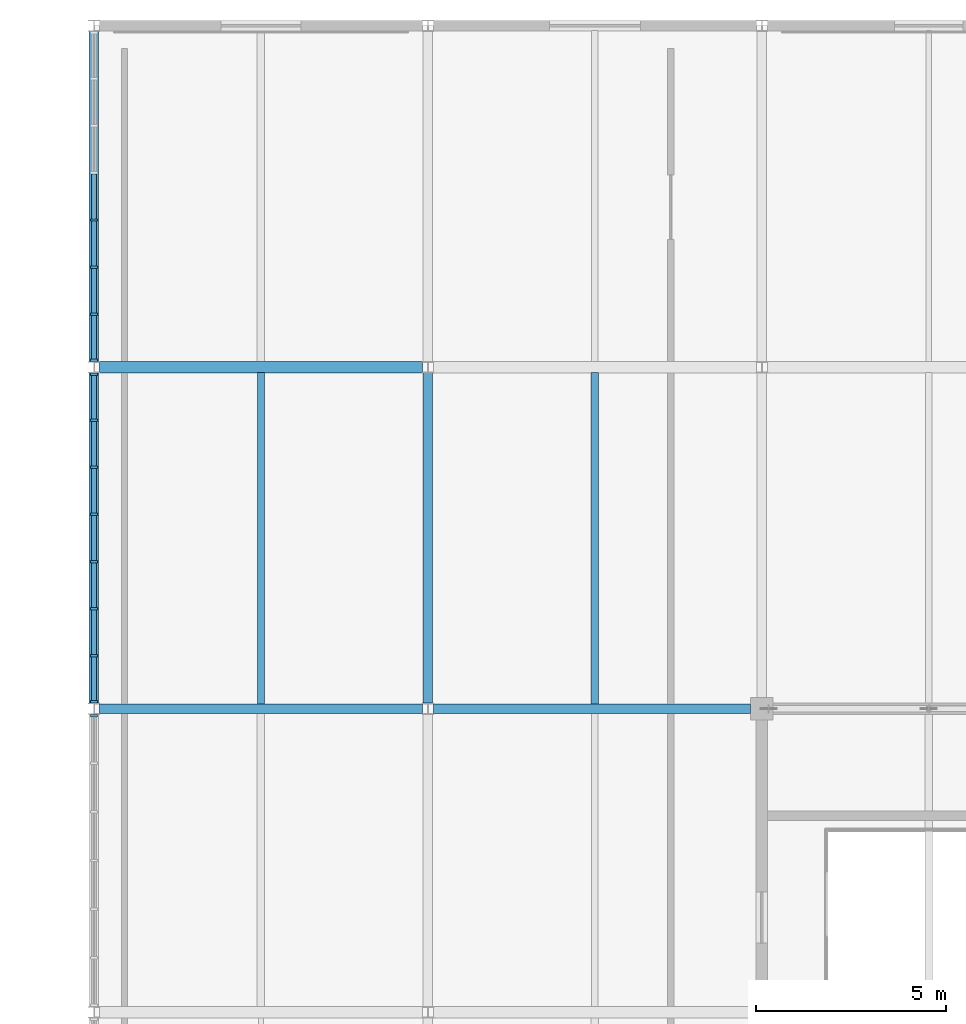
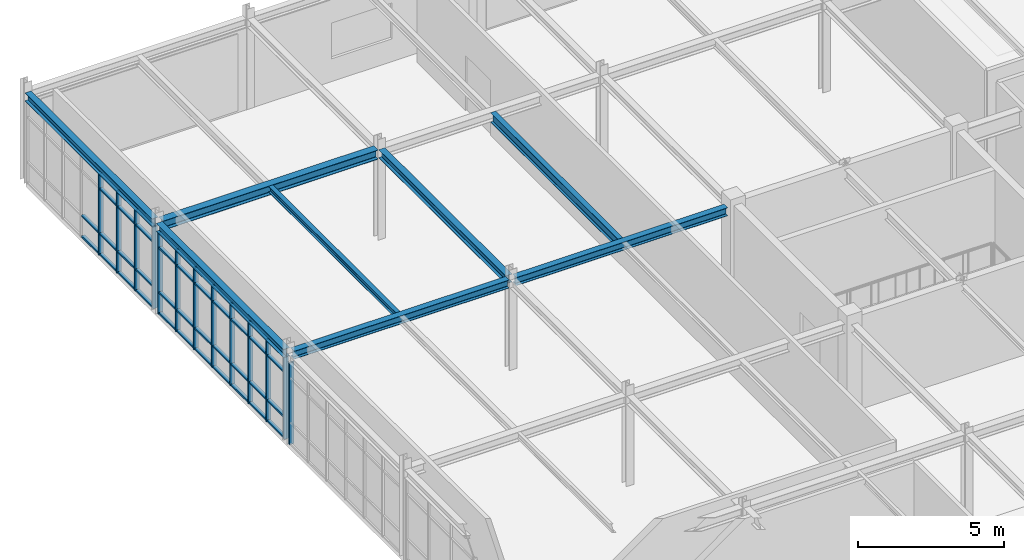
# One storey, part 21 of 64: 55 members, 8 beams, 3 elements without a shape of their own.
"""IFC4 building model written with IfcOpenShell, lengths in metres."""

from ifc_helpers import new_model, si_unit, direction, frame, origin, origin_2d, place, context, subcontext, project, spatial, rectangle, i_section, extrude, material, material_profile, profile_set, type_object, element, aggregate, save


model = new_model("IFC4")

# Units and contexts
model_context = context("Model", 3, precision=1e-05, world=origin(), true_north=direction((0.0, 1.0)))
body_context = subcontext(model_context, "Body", "Model", "MODEL_VIEW")
ifc_project = project(units=[si_unit("LENGTHUNIT", "METRE"), si_unit("AREAUNIT", "SQUARE_METRE"), si_unit("VOLUMEUNIT", "CUBIC_METRE"), si_unit("PLANEANGLEUNIT", "RADIAN"), si_unit("MASSUNIT", "GRAM", prefix="KILO")], contexts=[model_context])

# Site, building, storey
site_placement = place(None, origin())
site = spatial("IfcSite", under=ifc_project, at=site_placement, CompositionType="ELEMENT")
building_placement = place(site_placement, origin())
building = spatial("IfcBuilding", under=site, at=building_placement, Name="Zhaolan Boulevard Law Courts", CompositionType="ELEMENT")
storey_placement = place(building_placement, frame((0.0, 0.0, 20.39990234375)))
storey = spatial("IfcBuildingStorey", under=building, at=storey_placement, Name="L04", CompositionType="ELEMENT", Elevation=20.39990234375)

# Curtain wall, member
ifc_material_1 = material(Name="Thermally broken aluminium and low-E glazing", Category="aluminium")
curtain_wall_type_1 = type_object("IfcCurtainWallType", Name="CURTAIN WALL M12", PredefinedType="USERDEFINED", material=ifc_material_1)
curtain_wall_1_placement = place(storey_placement, origin())
curtain_wall_1 = element("IfcCurtainWall", 1, at=curtain_wall_1_placement, inside=storey, type_object=curtain_wall_type_1, Name="Curtain Wall CW-L04-132", ObjectType="CURTAIN WALL", PredefinedType="USERDEFINED")
ifc_material_2 = material(Name="Fluorocarbon-coated aluminium 6063-T6", Category="aluminium")
ifc_material_profile_1 = material_profile(ifc_material_2, rectangle(XDim=0.179931640625, YDim=0.06494140625, at=origin_2d()), Name="AL65x180")
ifc_profile_set_1 = profile_set([ifc_material_profile_1], Name="Fluorocarbon-coated aluminium 6063-T6")
member_type_1 = type_object("IfcMemberType", Name="CWMULLION 65X180", PredefinedType="MULLION", material=ifc_profile_set_1)
member_1_placement = place(storey_placement, frame((0.0, 93.8154296875, 0.0), z_axis=(0.0, 0.0, 1.0), x_axis=(1.0, 0.0, 0.0)))
member_1 = element("IfcMember", 2, at=member_1_placement, type_object=member_type_1, Name="CW-L04-132 mullion 1", PredefinedType="MULLION", context=body_context, shape_type="SweptSolid", body=[
    extrude(rectangle(XDim=0.179931640625, YDim=0.06494140625, at=origin_2d()), origin(), (0.0, 0.0, 1.0), 3.423095703125),
])
aggregate(curtain_wall_1, [member_1])

# Curtain wall, members
ifc_material_3 = material(Name="Thermally broken aluminium and low-E glazing", Category="aluminium")
curtain_wall_type_2 = type_object("IfcCurtainWallType", Name="CURTAIN WALL M13", PredefinedType="USERDEFINED", material=ifc_material_3)
curtain_wall_2_placement = place(storey_placement, origin())
curtain_wall_2 = element("IfcCurtainWall", 3, at=curtain_wall_2_placement, inside=storey, type_object=curtain_wall_type_2, Name="Curtain Wall CW-L04-133", ObjectType="CURTAIN WALL", PredefinedType="USERDEFINED")
member_2_placement = place(storey_placement, frame((0.0, 102.8154296875, 0.0), z_axis=(0.0, 0.0, 1.0), x_axis=(1.0, 0.0, 0.0)))
member_2 = element("IfcMember", 4, at=member_2_placement, type_object=member_type_1, Name="CW-L04-133 mullion 1", PredefinedType="MULLION", context=body_context, shape_type="SweptSolid", body=[
    extrude(rectangle(XDim=0.179931640625, YDim=0.06494140625, at=origin_2d()), origin(), (0.0, 0.0, 1.0), 3.423095703125),
])
member_3_placement = place(storey_placement, frame((0.0, 101.605712890625, 0.0), z_axis=(0.0, 0.0, 1.0), x_axis=(1.0, 0.0, 0.0)))
member_3 = element("IfcMember", 5, at=member_3_placement, type_object=member_type_1, Name="CW-L04-133 mullion 2", PredefinedType="MULLION", context=body_context, shape_type="SweptSolid", body=[
    extrude(rectangle(XDim=0.179931640625, YDim=0.06494140625, at=origin_2d()), origin(), (0.0, 0.0, 1.0), 3.423095703125),
])
member_4_placement = place(storey_placement, frame((0.0, 100.363525390625, 0.0), z_axis=(0.0, 0.0, 1.0), x_axis=(1.0, 0.0, 0.0)))
member_4 = element("IfcMember", 6, at=member_4_placement, type_object=member_type_1, Name="CW-L04-133 mullion 3", PredefinedType="MULLION", context=body_context, shape_type="SweptSolid", body=[
    extrude(rectangle(XDim=0.179931640625, YDim=0.06494140625, at=origin_2d()), origin(), (0.0, 0.0, 1.0), 3.423095703125),
])
member_5_placement = place(storey_placement, frame((0.0, 99.12109375, 0.0), z_axis=(0.0, 0.0, 1.0), x_axis=(1.0, 0.0, 0.0)))
member_5 = element("IfcMember", 7, at=member_5_placement, type_object=member_type_1, Name="CW-L04-133 mullion 4", PredefinedType="MULLION", context=body_context, shape_type="SweptSolid", body=[
    extrude(rectangle(XDim=0.179931640625, YDim=0.06494140625, at=origin_2d()), origin(), (0.0, 0.0, 1.0), 3.423095703125),
])
member_6_placement = place(storey_placement, frame((0.0, 97.87890625, 0.0), z_axis=(0.0, 0.0, 1.0), x_axis=(1.0, 0.0, 0.0)))
member_6 = element("IfcMember", 8, at=member_6_placement, type_object=member_type_1, Name="CW-L04-133 mullion 5", PredefinedType="MULLION", context=body_context, shape_type="SweptSolid", body=[
    extrude(rectangle(XDim=0.179931640625, YDim=0.06494140625, at=origin_2d()), origin(), (0.0, 0.0, 1.0), 3.423095703125),
])
member_7_placement = place(storey_placement, frame((0.0, 96.636474609375, 0.0), z_axis=(0.0, 0.0, 1.0), x_axis=(1.0, 0.0, 0.0)))
member_7 = element("IfcMember", 9, at=member_7_placement, type_object=member_type_1, Name="CW-L04-133 mullion 6", PredefinedType="MULLION", context=body_context, shape_type="SweptSolid", body=[
    extrude(rectangle(XDim=0.179931640625, YDim=0.06494140625, at=origin_2d()), origin(), (0.0, 0.0, 1.0), 3.423095703125),
])
member_8_placement = place(storey_placement, frame((0.0, 95.394287109375, 0.0), z_axis=(0.0, 0.0, 1.0), x_axis=(1.0, 0.0, 0.0)))
member_8 = element("IfcMember", 10, at=member_8_placement, type_object=member_type_1, Name="CW-L04-133 mullion 7", PredefinedType="MULLION", context=body_context, shape_type="SweptSolid", body=[
    extrude(rectangle(XDim=0.179931640625, YDim=0.06494140625, at=origin_2d()), origin(), (0.0, 0.0, 1.0), 3.423095703125),
])
member_9_placement = place(storey_placement, frame((0.0, 94.1845703125, 0.0), z_axis=(0.0, 0.0, 1.0), x_axis=(1.0, 0.0, 0.0)))
member_9 = element("IfcMember", 11, at=member_9_placement, type_object=member_type_1, Name="CW-L04-133 mullion 8", PredefinedType="MULLION", context=body_context, shape_type="SweptSolid", body=[
    extrude(rectangle(XDim=0.179931640625, YDim=0.06494140625, at=origin_2d()), origin(), (0.0, 0.0, 1.0), 3.423095703125),
])

ifc_material_4 = material(Name="Thermally broken aluminium and low-E glazing", Category="aluminium")
curtain_wall_type_3 = type_object("IfcCurtainWallType", Name="CURTAIN WALL M14", PredefinedType="USERDEFINED", material=ifc_material_4)
curtain_wall_3_placement = place(storey_placement, origin())
curtain_wall_3 = element("IfcCurtainWall", 12, at=curtain_wall_3_placement, inside=storey, type_object=curtain_wall_type_3, Name="Curtain Wall CW-L04-134", ObjectType="CURTAIN WALL", PredefinedType="USERDEFINED")
member_10_placement = place(storey_placement, frame((0.0, 106.87890625, 0.0), z_axis=(0.0, 0.0, 1.0), x_axis=(1.0, 0.0, 0.0)))
member_10 = element("IfcMember", 13, at=member_10_placement, type_object=member_type_1, Name="CW-L04-134 mullion 5", PredefinedType="MULLION", context=body_context, shape_type="SweptSolid", body=[
    extrude(rectangle(XDim=0.179931640625, YDim=0.06494140625, at=origin_2d()), origin(), (0.0, 0.0, 1.0), 3.423095703125),
])
member_11_placement = place(storey_placement, frame((0.0, 105.636474609375, 0.0), z_axis=(0.0, 0.0, 1.0), x_axis=(1.0, 0.0, 0.0)))
member_11 = element("IfcMember", 14, at=member_11_placement, type_object=member_type_1, Name="CW-L04-134 mullion 6", PredefinedType="MULLION", context=body_context, shape_type="SweptSolid", body=[
    extrude(rectangle(XDim=0.179931640625, YDim=0.06494140625, at=origin_2d()), origin(), (0.0, 0.0, 1.0), 3.423095703125),
])
member_12_placement = place(storey_placement, frame((0.0, 104.394287109375, 0.0), z_axis=(0.0, 0.0, 1.0), x_axis=(1.0, 0.0, 0.0)))
member_12 = element("IfcMember", 15, at=member_12_placement, type_object=member_type_1, Name="CW-L04-134 mullion 7", PredefinedType="MULLION", context=body_context, shape_type="SweptSolid", body=[
    extrude(rectangle(XDim=0.179931640625, YDim=0.06494140625, at=origin_2d()), origin(), (0.0, 0.0, 1.0), 3.423095703125),
])
member_13_placement = place(storey_placement, frame((0.0, 103.1845703125, 0.0), z_axis=(0.0, 0.0, 1.0), x_axis=(1.0, 0.0, 0.0)))
member_13 = element("IfcMember", 16, at=member_13_placement, type_object=member_type_1, Name="CW-L04-134 mullion 8", PredefinedType="MULLION", context=body_context, shape_type="SweptSolid", body=[
    extrude(rectangle(XDim=0.179931640625, YDim=0.06494140625, at=origin_2d()), origin(), (0.0, 0.0, 1.0), 3.423095703125),
])

# Member
ifc_material_5 = material(Name="Fluorocarbon-coated aluminium 6063-T6", Category="aluminium")
ifc_material_profile_2 = material_profile(ifc_material_5, rectangle(XDim=0.139892578125, YDim=0.06494140625, at=origin_2d()), Name="AL65x140")
ifc_profile_set_2 = profile_set([ifc_material_profile_2], Name="Fluorocarbon-coated aluminium 6063-T6")
member_type_2 = type_object("IfcMemberType", Name="CWTRANSOM 65X140", PredefinedType="USERDEFINED", material=ifc_profile_set_2)
member_14_placement = place(storey_placement, frame((0.0, 102.782958984375, 0.03271484375), z_axis=(0.0, -1.0, 0.0), x_axis=(1.0, 0.0, 0.0)))
member_14 = element("IfcMember", 17, at=member_14_placement, type_object=member_type_2, Name="CW-L04-133 transom 1.1", ObjectType="TRANSOM", PredefinedType="USERDEFINED", context=body_context, shape_type="SweptSolid", body=[
    extrude(rectangle(XDim=0.139892578125, YDim=0.06494140625, at=origin_2d()), origin(), (0.0, 0.0, 1.0), 1.144775390625),
])

member_15_placement = place(storey_placement, frame((0.0, 102.782958984375, 0.900146484375), z_axis=(0.0, -1.0, 0.0), x_axis=(1.0, 0.0, 0.0)))
member_15 = element("IfcMember", 18, at=member_15_placement, type_object=member_type_2, Name="CW-L04-133 transom 1.2", ObjectType="TRANSOM", PredefinedType="USERDEFINED", context=body_context, shape_type="SweptSolid", body=[
    extrude(rectangle(XDim=0.139892578125, YDim=0.06494140625, at=origin_2d()), origin(), (0.0, 0.0, 1.0), 1.144775390625),
])

member_16_placement = place(storey_placement, frame((0.0, 102.782958984375, 2.773193359375), z_axis=(0.0, -1.0, 0.0), x_axis=(1.0, 0.0, 0.0)))
member_16 = element("IfcMember", 19, at=member_16_placement, type_object=member_type_2, Name="CW-L04-133 transom 1.3", ObjectType="TRANSOM", PredefinedType="USERDEFINED", context=body_context, shape_type="SweptSolid", body=[
    extrude(rectangle(XDim=0.139892578125, YDim=0.06494140625, at=origin_2d()), origin(), (0.0, 0.0, 1.0), 1.144775390625),
])

member_17_placement = place(storey_placement, frame((0.0, 102.782958984375, 3.390625), z_axis=(0.0, -1.0, 0.0), x_axis=(1.0, 0.0, 0.0)))
member_17 = element("IfcMember", 20, at=member_17_placement, type_object=member_type_2, Name="CW-L04-133 transom 1.4", ObjectType="TRANSOM", PredefinedType="USERDEFINED", context=body_context, shape_type="SweptSolid", body=[
    extrude(rectangle(XDim=0.139892578125, YDim=0.06494140625, at=origin_2d()), origin(), (0.0, 0.0, 1.0), 1.144775390625),
])

member_18_placement = place(storey_placement, frame((0.0, 101.5732421875, 0.03271484375), z_axis=(0.0, -1.0, 0.0), x_axis=(1.0, 0.0, 0.0)))
member_18 = element("IfcMember", 21, at=member_18_placement, type_object=member_type_2, Name="CW-L04-133 transom 2.1", ObjectType="TRANSOM", PredefinedType="USERDEFINED", context=body_context, shape_type="SweptSolid", body=[
    extrude(rectangle(XDim=0.139892578125, YDim=0.06494140625, at=origin_2d()), origin(), (0.0, 0.0, 1.0), 1.17724609375),
])

member_19_placement = place(storey_placement, frame((0.0, 101.5732421875, 0.900146484375), z_axis=(0.0, -1.0, 0.0), x_axis=(1.0, 0.0, 0.0)))
member_19 = element("IfcMember", 22, at=member_19_placement, type_object=member_type_2, Name="CW-L04-133 transom 2.2", ObjectType="TRANSOM", PredefinedType="USERDEFINED", context=body_context, shape_type="SweptSolid", body=[
    extrude(rectangle(XDim=0.139892578125, YDim=0.06494140625, at=origin_2d()), origin(), (0.0, 0.0, 1.0), 1.17724609375),
])

member_20_placement = place(storey_placement, frame((0.0, 101.5732421875, 2.773193359375), z_axis=(0.0, -1.0, 0.0), x_axis=(1.0, 0.0, 0.0)))
member_20 = element("IfcMember", 23, at=member_20_placement, type_object=member_type_2, Name="CW-L04-133 transom 2.3", ObjectType="TRANSOM", PredefinedType="USERDEFINED", context=body_context, shape_type="SweptSolid", body=[
    extrude(rectangle(XDim=0.139892578125, YDim=0.06494140625, at=origin_2d()), origin(), (0.0, 0.0, 1.0), 1.17724609375),
])

member_21_placement = place(storey_placement, frame((0.0, 101.5732421875, 3.390625), z_axis=(0.0, -1.0, 0.0), x_axis=(1.0, 0.0, 0.0)))
member_21 = element("IfcMember", 24, at=member_21_placement, type_object=member_type_2, Name="CW-L04-133 transom 2.4", ObjectType="TRANSOM", PredefinedType="USERDEFINED", context=body_context, shape_type="SweptSolid", body=[
    extrude(rectangle(XDim=0.139892578125, YDim=0.06494140625, at=origin_2d()), origin(), (0.0, 0.0, 1.0), 1.17724609375),
])

member_22_placement = place(storey_placement, frame((0.0, 100.330810546875, 0.03271484375), z_axis=(0.0, -1.0, 0.0), x_axis=(1.0, 0.0, 0.0)))
member_22 = element("IfcMember", 25, at=member_22_placement, type_object=member_type_2, Name="CW-L04-133 transom 3.1", ObjectType="TRANSOM", PredefinedType="USERDEFINED", context=body_context, shape_type="SweptSolid", body=[
    extrude(rectangle(XDim=0.139892578125, YDim=0.06494140625, at=origin_2d()), origin(), (0.0, 0.0, 1.0), 1.17724609375),
])

member_23_placement = place(storey_placement, frame((0.0, 100.330810546875, 0.900146484375), z_axis=(0.0, -1.0, 0.0), x_axis=(1.0, 0.0, 0.0)))
member_23 = element("IfcMember", 26, at=member_23_placement, type_object=member_type_2, Name="CW-L04-133 transom 3.2", ObjectType="TRANSOM", PredefinedType="USERDEFINED", context=body_context, shape_type="SweptSolid", body=[
    extrude(rectangle(XDim=0.139892578125, YDim=0.06494140625, at=origin_2d()), origin(), (0.0, 0.0, 1.0), 1.17724609375),
])

member_24_placement = place(storey_placement, frame((0.0, 100.330810546875, 2.773193359375), z_axis=(0.0, -1.0, 0.0), x_axis=(1.0, 0.0, 0.0)))
member_24 = element("IfcMember", 27, at=member_24_placement, type_object=member_type_2, Name="CW-L04-133 transom 3.3", ObjectType="TRANSOM", PredefinedType="USERDEFINED", context=body_context, shape_type="SweptSolid", body=[
    extrude(rectangle(XDim=0.139892578125, YDim=0.06494140625, at=origin_2d()), origin(), (0.0, 0.0, 1.0), 1.17724609375),
])

member_25_placement = place(storey_placement, frame((0.0, 100.330810546875, 3.390625), z_axis=(0.0, -1.0, 0.0), x_axis=(1.0, 0.0, 0.0)))
member_25 = element("IfcMember", 28, at=member_25_placement, type_object=member_type_2, Name="CW-L04-133 transom 3.4", ObjectType="TRANSOM", PredefinedType="USERDEFINED", context=body_context, shape_type="SweptSolid", body=[
    extrude(rectangle(XDim=0.139892578125, YDim=0.06494140625, at=origin_2d()), origin(), (0.0, 0.0, 1.0), 1.17724609375),
])

member_26_placement = place(storey_placement, frame((0.0, 99.088623046875, 0.03271484375), z_axis=(0.0, -1.0, 0.0), x_axis=(1.0, 0.0, 0.0)))
member_26 = element("IfcMember", 29, at=member_26_placement, type_object=member_type_2, Name="CW-L04-133 transom 4.1", ObjectType="TRANSOM", PredefinedType="USERDEFINED", context=body_context, shape_type="SweptSolid", body=[
    extrude(rectangle(XDim=0.139892578125, YDim=0.06494140625, at=origin_2d()), origin(), (0.0, 0.0, 1.0), 1.17724609375),
])

member_27_placement = place(storey_placement, frame((0.0, 99.088623046875, 0.900146484375), z_axis=(0.0, -1.0, 0.0), x_axis=(1.0, 0.0, 0.0)))
member_27 = element("IfcMember", 30, at=member_27_placement, type_object=member_type_2, Name="CW-L04-133 transom 4.2", ObjectType="TRANSOM", PredefinedType="USERDEFINED", context=body_context, shape_type="SweptSolid", body=[
    extrude(rectangle(XDim=0.139892578125, YDim=0.06494140625, at=origin_2d()), origin(), (0.0, 0.0, 1.0), 1.17724609375),
])

member_28_placement = place(storey_placement, frame((0.0, 99.088623046875, 2.773193359375), z_axis=(0.0, -1.0, 0.0), x_axis=(1.0, 0.0, 0.0)))
member_28 = element("IfcMember", 31, at=member_28_placement, type_object=member_type_2, Name="CW-L04-133 transom 4.3", ObjectType="TRANSOM", PredefinedType="USERDEFINED", context=body_context, shape_type="SweptSolid", body=[
    extrude(rectangle(XDim=0.139892578125, YDim=0.06494140625, at=origin_2d()), origin(), (0.0, 0.0, 1.0), 1.17724609375),
])

member_29_placement = place(storey_placement, frame((0.0, 99.088623046875, 3.390625), z_axis=(0.0, -1.0, 0.0), x_axis=(1.0, 0.0, 0.0)))
member_29 = element("IfcMember", 32, at=member_29_placement, type_object=member_type_2, Name="CW-L04-133 transom 4.4", ObjectType="TRANSOM", PredefinedType="USERDEFINED", context=body_context, shape_type="SweptSolid", body=[
    extrude(rectangle(XDim=0.139892578125, YDim=0.06494140625, at=origin_2d()), origin(), (0.0, 0.0, 1.0), 1.17724609375),
])

member_30_placement = place(storey_placement, frame((0.0, 97.846435546875, 0.03271484375), z_axis=(0.0, -1.0, 0.0), x_axis=(1.0, 0.0, 0.0)))
member_30 = element("IfcMember", 33, at=member_30_placement, type_object=member_type_2, Name="CW-L04-133 transom 5.1", ObjectType="TRANSOM", PredefinedType="USERDEFINED", context=body_context, shape_type="SweptSolid", body=[
    extrude(rectangle(XDim=0.139892578125, YDim=0.06494140625, at=origin_2d()), origin(), (0.0, 0.0, 1.0), 1.17724609375),
])

member_31_placement = place(storey_placement, frame((0.0, 97.846435546875, 0.900146484375), z_axis=(0.0, -1.0, 0.0), x_axis=(1.0, 0.0, 0.0)))
member_31 = element("IfcMember", 34, at=member_31_placement, type_object=member_type_2, Name="CW-L04-133 transom 5.2", ObjectType="TRANSOM", PredefinedType="USERDEFINED", context=body_context, shape_type="SweptSolid", body=[
    extrude(rectangle(XDim=0.139892578125, YDim=0.06494140625, at=origin_2d()), origin(), (0.0, 0.0, 1.0), 1.17724609375),
])

member_32_placement = place(storey_placement, frame((0.0, 97.846435546875, 2.773193359375), z_axis=(0.0, -1.0, 0.0), x_axis=(1.0, 0.0, 0.0)))
member_32 = element("IfcMember", 35, at=member_32_placement, type_object=member_type_2, Name="CW-L04-133 transom 5.3", ObjectType="TRANSOM", PredefinedType="USERDEFINED", context=body_context, shape_type="SweptSolid", body=[
    extrude(rectangle(XDim=0.139892578125, YDim=0.06494140625, at=origin_2d()), origin(), (0.0, 0.0, 1.0), 1.17724609375),
])

member_33_placement = place(storey_placement, frame((0.0, 97.846435546875, 3.390625), z_axis=(0.0, -1.0, 0.0), x_axis=(1.0, 0.0, 0.0)))
member_33 = element("IfcMember", 36, at=member_33_placement, type_object=member_type_2, Name="CW-L04-133 transom 5.4", ObjectType="TRANSOM", PredefinedType="USERDEFINED", context=body_context, shape_type="SweptSolid", body=[
    extrude(rectangle(XDim=0.139892578125, YDim=0.06494140625, at=origin_2d()), origin(), (0.0, 0.0, 1.0), 1.17724609375),
])

member_34_placement = place(storey_placement, frame((0.0, 96.60400390625, 0.03271484375), z_axis=(0.0, -1.0, 0.0), x_axis=(1.0, 0.0, 0.0)))
member_34 = element("IfcMember", 37, at=member_34_placement, type_object=member_type_2, Name="CW-L04-133 transom 6.1", ObjectType="TRANSOM", PredefinedType="USERDEFINED", context=body_context, shape_type="SweptSolid", body=[
    extrude(rectangle(XDim=0.139892578125, YDim=0.06494140625, at=origin_2d()), origin(), (0.0, 0.0, 1.0), 1.17724609375),
])

member_35_placement = place(storey_placement, frame((0.0, 96.60400390625, 0.900146484375), z_axis=(0.0, -1.0, 0.0), x_axis=(1.0, 0.0, 0.0)))
member_35 = element("IfcMember", 38, at=member_35_placement, type_object=member_type_2, Name="CW-L04-133 transom 6.2", ObjectType="TRANSOM", PredefinedType="USERDEFINED", context=body_context, shape_type="SweptSolid", body=[
    extrude(rectangle(XDim=0.139892578125, YDim=0.06494140625, at=origin_2d()), origin(), (0.0, 0.0, 1.0), 1.17724609375),
])

member_36_placement = place(storey_placement, frame((0.0, 96.60400390625, 2.773193359375), z_axis=(0.0, -1.0, 0.0), x_axis=(1.0, 0.0, 0.0)))
member_36 = element("IfcMember", 39, at=member_36_placement, type_object=member_type_2, Name="CW-L04-133 transom 6.3", ObjectType="TRANSOM", PredefinedType="USERDEFINED", context=body_context, shape_type="SweptSolid", body=[
    extrude(rectangle(XDim=0.139892578125, YDim=0.06494140625, at=origin_2d()), origin(), (0.0, 0.0, 1.0), 1.17724609375),
])

member_37_placement = place(storey_placement, frame((0.0, 96.60400390625, 3.390625), z_axis=(0.0, -1.0, 0.0), x_axis=(1.0, 0.0, 0.0)))
member_37 = element("IfcMember", 40, at=member_37_placement, type_object=member_type_2, Name="CW-L04-133 transom 6.4", ObjectType="TRANSOM", PredefinedType="USERDEFINED", context=body_context, shape_type="SweptSolid", body=[
    extrude(rectangle(XDim=0.139892578125, YDim=0.06494140625, at=origin_2d()), origin(), (0.0, 0.0, 1.0), 1.17724609375),
])

member_38_placement = place(storey_placement, frame((0.0, 95.36181640625, 0.03271484375), z_axis=(0.0, -1.0, 0.0), x_axis=(1.0, 0.0, 0.0)))
member_38 = element("IfcMember", 41, at=member_38_placement, type_object=member_type_2, Name="CW-L04-133 transom 7.1", ObjectType="TRANSOM", PredefinedType="USERDEFINED", context=body_context, shape_type="SweptSolid", body=[
    extrude(rectangle(XDim=0.139892578125, YDim=0.06494140625, at=origin_2d()), origin(), (0.0, 0.0, 1.0), 1.144775390625),
])

member_39_placement = place(storey_placement, frame((0.0, 95.36181640625, 0.900146484375), z_axis=(0.0, -1.0, 0.0), x_axis=(1.0, 0.0, 0.0)))
member_39 = element("IfcMember", 42, at=member_39_placement, type_object=member_type_2, Name="CW-L04-133 transom 7.2", ObjectType="TRANSOM", PredefinedType="USERDEFINED", context=body_context, shape_type="SweptSolid", body=[
    extrude(rectangle(XDim=0.139892578125, YDim=0.06494140625, at=origin_2d()), origin(), (0.0, 0.0, 1.0), 1.144775390625),
])

member_40_placement = place(storey_placement, frame((0.0, 95.36181640625, 2.773193359375), z_axis=(0.0, -1.0, 0.0), x_axis=(1.0, 0.0, 0.0)))
member_40 = element("IfcMember", 43, at=member_40_placement, type_object=member_type_2, Name="CW-L04-133 transom 7.3", ObjectType="TRANSOM", PredefinedType="USERDEFINED", context=body_context, shape_type="SweptSolid", body=[
    extrude(rectangle(XDim=0.139892578125, YDim=0.06494140625, at=origin_2d()), origin(), (0.0, 0.0, 1.0), 1.144775390625),
])

member_41_placement = place(storey_placement, frame((0.0, 95.36181640625, 3.390625), z_axis=(0.0, -1.0, 0.0), x_axis=(1.0, 0.0, 0.0)))
member_41 = element("IfcMember", 44, at=member_41_placement, type_object=member_type_2, Name="CW-L04-133 transom 7.4", ObjectType="TRANSOM", PredefinedType="USERDEFINED", context=body_context, shape_type="SweptSolid", body=[
    extrude(rectangle(XDim=0.139892578125, YDim=0.06494140625, at=origin_2d()), origin(), (0.0, 0.0, 1.0), 1.144775390625),
])

aggregate(curtain_wall_2, [member_2, member_3, member_4, member_5, member_6, member_7, member_8, member_9, member_14, member_15, member_16, member_17, member_18, member_19, member_20, member_21, member_22, member_23, member_24, member_25, member_26, member_27, member_28, member_29, member_30, member_31, member_32, member_33, member_34, member_35, member_36, member_37, member_38, member_39, member_40, member_41])

member_42_placement = place(storey_placement, frame((0.0, 108.088623046875, 0.03271484375), z_axis=(0.0, -1.0, 0.0), x_axis=(1.0, 0.0, 0.0)))
member_42 = element("IfcMember", 45, at=member_42_placement, type_object=member_type_2, Name="CW-L04-134 transom 4.1", ObjectType="TRANSOM", PredefinedType="USERDEFINED", context=body_context, shape_type="SweptSolid", body=[
    extrude(rectangle(XDim=0.139892578125, YDim=0.06494140625, at=origin_2d()), origin(), (0.0, 0.0, 1.0), 1.17724609375),
])

member_43_placement = place(storey_placement, frame((0.0, 108.088623046875, 0.900146484375), z_axis=(0.0, -1.0, 0.0), x_axis=(1.0, 0.0, 0.0)))
member_43 = element("IfcMember", 46, at=member_43_placement, type_object=member_type_2, Name="CW-L04-134 transom 4.2", ObjectType="TRANSOM", PredefinedType="USERDEFINED", context=body_context, shape_type="SweptSolid", body=[
    extrude(rectangle(XDim=0.139892578125, YDim=0.06494140625, at=origin_2d()), origin(), (0.0, 0.0, 1.0), 1.17724609375),
])

member_44_placement = place(storey_placement, frame((0.0, 106.846435546875, 0.03271484375), z_axis=(0.0, -1.0, 0.0), x_axis=(1.0, 0.0, 0.0)))
member_44 = element("IfcMember", 47, at=member_44_placement, type_object=member_type_2, Name="CW-L04-134 transom 5.1", ObjectType="TRANSOM", PredefinedType="USERDEFINED", context=body_context, shape_type="SweptSolid", body=[
    extrude(rectangle(XDim=0.139892578125, YDim=0.06494140625, at=origin_2d()), origin(), (0.0, 0.0, 1.0), 1.17724609375),
])

member_45_placement = place(storey_placement, frame((0.0, 106.846435546875, 0.900146484375), z_axis=(0.0, -1.0, 0.0), x_axis=(1.0, 0.0, 0.0)))
member_45 = element("IfcMember", 48, at=member_45_placement, type_object=member_type_2, Name="CW-L04-134 transom 5.2", ObjectType="TRANSOM", PredefinedType="USERDEFINED", context=body_context, shape_type="SweptSolid", body=[
    extrude(rectangle(XDim=0.139892578125, YDim=0.06494140625, at=origin_2d()), origin(), (0.0, 0.0, 1.0), 1.17724609375),
])

member_46_placement = place(storey_placement, frame((0.0, 106.846435546875, 2.773193359375), z_axis=(0.0, -1.0, 0.0), x_axis=(1.0, 0.0, 0.0)))
member_46 = element("IfcMember", 49, at=member_46_placement, type_object=member_type_2, Name="CW-L04-134 transom 5.3", ObjectType="TRANSOM", PredefinedType="USERDEFINED", context=body_context, shape_type="SweptSolid", body=[
    extrude(rectangle(XDim=0.139892578125, YDim=0.06494140625, at=origin_2d()), origin(), (0.0, 0.0, 1.0), 1.17724609375),
])

member_47_placement = place(storey_placement, frame((0.0, 106.846435546875, 3.390625), z_axis=(0.0, -1.0, 0.0), x_axis=(1.0, 0.0, 0.0)))
member_47 = element("IfcMember", 50, at=member_47_placement, type_object=member_type_2, Name="CW-L04-134 transom 5.4", ObjectType="TRANSOM", PredefinedType="USERDEFINED", context=body_context, shape_type="SweptSolid", body=[
    extrude(rectangle(XDim=0.139892578125, YDim=0.06494140625, at=origin_2d()), origin(), (0.0, 0.0, 1.0), 1.17724609375),
])

member_48_placement = place(storey_placement, frame((0.0, 105.60400390625, 0.03271484375), z_axis=(0.0, -1.0, 0.0), x_axis=(1.0, 0.0, 0.0)))
member_48 = element("IfcMember", 51, at=member_48_placement, type_object=member_type_2, Name="CW-L04-134 transom 6.1", ObjectType="TRANSOM", PredefinedType="USERDEFINED", context=body_context, shape_type="SweptSolid", body=[
    extrude(rectangle(XDim=0.139892578125, YDim=0.06494140625, at=origin_2d()), origin(), (0.0, 0.0, 1.0), 1.17724609375),
])

member_49_placement = place(storey_placement, frame((0.0, 105.60400390625, 0.900146484375), z_axis=(0.0, -1.0, 0.0), x_axis=(1.0, 0.0, 0.0)))
member_49 = element("IfcMember", 52, at=member_49_placement, type_object=member_type_2, Name="CW-L04-134 transom 6.2", ObjectType="TRANSOM", PredefinedType="USERDEFINED", context=body_context, shape_type="SweptSolid", body=[
    extrude(rectangle(XDim=0.139892578125, YDim=0.06494140625, at=origin_2d()), origin(), (0.0, 0.0, 1.0), 1.17724609375),
])

member_50_placement = place(storey_placement, frame((0.0, 105.60400390625, 2.773193359375), z_axis=(0.0, -1.0, 0.0), x_axis=(1.0, 0.0, 0.0)))
member_50 = element("IfcMember", 53, at=member_50_placement, type_object=member_type_2, Name="CW-L04-134 transom 6.3", ObjectType="TRANSOM", PredefinedType="USERDEFINED", context=body_context, shape_type="SweptSolid", body=[
    extrude(rectangle(XDim=0.139892578125, YDim=0.06494140625, at=origin_2d()), origin(), (0.0, 0.0, 1.0), 1.17724609375),
])

member_51_placement = place(storey_placement, frame((0.0, 105.60400390625, 3.390625), z_axis=(0.0, -1.0, 0.0), x_axis=(1.0, 0.0, 0.0)))
member_51 = element("IfcMember", 54, at=member_51_placement, type_object=member_type_2, Name="CW-L04-134 transom 6.4", ObjectType="TRANSOM", PredefinedType="USERDEFINED", context=body_context, shape_type="SweptSolid", body=[
    extrude(rectangle(XDim=0.139892578125, YDim=0.06494140625, at=origin_2d()), origin(), (0.0, 0.0, 1.0), 1.17724609375),
])

member_52_placement = place(storey_placement, frame((0.0, 104.36181640625, 0.03271484375), z_axis=(0.0, -1.0, 0.0), x_axis=(1.0, 0.0, 0.0)))
member_52 = element("IfcMember", 55, at=member_52_placement, type_object=member_type_2, Name="CW-L04-134 transom 7.1", ObjectType="TRANSOM", PredefinedType="USERDEFINED", context=body_context, shape_type="SweptSolid", body=[
    extrude(rectangle(XDim=0.139892578125, YDim=0.06494140625, at=origin_2d()), origin(), (0.0, 0.0, 1.0), 1.144775390625),
])

member_53_placement = place(storey_placement, frame((0.0, 104.36181640625, 0.900146484375), z_axis=(0.0, -1.0, 0.0), x_axis=(1.0, 0.0, 0.0)))
member_53 = element("IfcMember", 56, at=member_53_placement, type_object=member_type_2, Name="CW-L04-134 transom 7.2", ObjectType="TRANSOM", PredefinedType="USERDEFINED", context=body_context, shape_type="SweptSolid", body=[
    extrude(rectangle(XDim=0.139892578125, YDim=0.06494140625, at=origin_2d()), origin(), (0.0, 0.0, 1.0), 1.144775390625),
])

member_54_placement = place(storey_placement, frame((0.0, 104.36181640625, 2.773193359375), z_axis=(0.0, -1.0, 0.0), x_axis=(1.0, 0.0, 0.0)))
member_54 = element("IfcMember", 57, at=member_54_placement, type_object=member_type_2, Name="CW-L04-134 transom 7.3", ObjectType="TRANSOM", PredefinedType="USERDEFINED", context=body_context, shape_type="SweptSolid", body=[
    extrude(rectangle(XDim=0.139892578125, YDim=0.06494140625, at=origin_2d()), origin(), (0.0, 0.0, 1.0), 1.144775390625),
])

member_55_placement = place(storey_placement, frame((0.0, 104.36181640625, 3.390625), z_axis=(0.0, -1.0, 0.0), x_axis=(1.0, 0.0, 0.0)))
member_55 = element("IfcMember", 58, at=member_55_placement, type_object=member_type_2, Name="CW-L04-134 transom 7.4", ObjectType="TRANSOM", PredefinedType="USERDEFINED", context=body_context, shape_type="SweptSolid", body=[
    extrude(rectangle(XDim=0.139892578125, YDim=0.06494140625, at=origin_2d()), origin(), (0.0, 0.0, 1.0), 1.144775390625),
])

aggregate(curtain_wall_3, [member_10, member_11, member_12, member_13, member_42, member_43, member_44, member_45, member_46, member_47, member_48, member_49, member_50, member_51, member_52, member_53, member_54, member_55])

# Beams
ifc_material_6 = material(Name="Structural steel Q355B", Category="steel")
ifc_material_profile_3 = material_profile(ifc_material_6, i_section(OverallWidth=0.25, OverallDepth=0.340087890625, WebThickness=0.009033203125, FlangeThickness=0.013916015625, FilletRadius=0.01611328125, at=origin_2d()), Name="HM340x250")
ifc_profile_set_3 = profile_set([ifc_material_profile_3], Name="Structural steel Q355B")
beam_type_1 = type_object("IfcBeamType", Name="GIRDER HM340", PredefinedType="BEAM", material=ifc_profile_set_3)
for number, where, z_axis, x_axis, name in (
    (59, (0.0, 94.14599609375, 3.608154296875), (0.0, 1.0, 0.0), (-1.0, 0.0, 0.0), "Beam BY-L05-1-N-P"),
    (60, (0.0, 103.14599609375, 3.608154296875), (0.0, 1.0, 0.0), (-1.0, 0.0, 0.0), "Beam BY-L05-1-P-Q"),
    (61, (8.800048828125, 94.14599609375, 3.608154296875), (0.0, 1.0, 0.0), (-1.0, 0.0, 0.0), "Beam BY-L05-2-N-P"),
):
    element("IfcBeam", number, at=place(storey_placement, frame(where, z_axis=z_axis, x_axis=x_axis)), inside=storey, type_object=beam_type_1, Name=name, PredefinedType="BEAM", context=body_context, shape_type="SweptSolid", body=[
        extrude(i_section(OverallWidth=0.25, OverallDepth=0.340087890625, WebThickness=0.009033203125, FlangeThickness=0.013916015625, FilletRadius=0.01611328125, at=origin_2d()), origin(), (0.0, 0.0, 1.0), 8.7080078125),
    ])
ifc_material_7 = material(Name="Structural steel Q355B", Category="steel")
ifc_material_profile_4 = material_profile(ifc_material_7, i_section(OverallWidth=0.300048828125, OverallDepth=0.389892578125, WebThickness=0.010009765625, FlangeThickness=0.01611328125, FilletRadius=0.01806640625, at=origin_2d()), Name="HM390x300")
ifc_profile_set_4 = profile_set([ifc_material_profile_4], Name="Structural steel Q355B")
beam_type_2 = type_object("IfcBeamType", Name="GIRDER HM390", PredefinedType="BEAM", material=ifc_profile_set_4)
beam_1_placement = place(storey_placement, frame((0.14599609375, 103.0, 3.5830078125), z_axis=(1.0, 0.0, 0.0), x_axis=(0.0, 1.0, 0.0)))
element("IfcBeam", 62, at=beam_1_placement, inside=storey, type_object=beam_type_2, Name="Beam BX-L05-1-2-P", PredefinedType="BEAM", context=body_context, shape_type="SweptSolid", body=[
    extrude(i_section(OverallWidth=0.300048828125, OverallDepth=0.389892578125, WebThickness=0.010009765625, FlangeThickness=0.01611328125, FilletRadius=0.01806640625, at=origin_2d()), origin(), (0.0, 0.0, 1.0), 8.508056640625),
])
ifc_material_8 = material(Name="Structural steel Q355B", Category="steel")
ifc_material_profile_5 = material_profile(ifc_material_8, i_section(OverallWidth=0.175048828125, OverallDepth=0.243896484375, WebThickness=0.007080078125, FlangeThickness=0.010986328125, FilletRadius=0.012939453125, at=origin_2d()), Name="HM244x175")
ifc_profile_set_5 = profile_set([ifc_material_profile_5], Name="Structural steel Q355B")
beam_type_3 = type_object("IfcBeamType", Name="JOIST HM244", PredefinedType="JOIST", material=ifc_profile_set_5)
beam_2_placement = place(storey_placement, frame((4.39990234375, 94.12109375, 3.656005859375), z_axis=(0.0, 1.0, 0.0), x_axis=(-1.0, 0.0, 0.0)))
element("IfcBeam", 63, at=beam_2_placement, inside=storey, type_object=beam_type_3, Name="Composite Joist J-L05-1N", PredefinedType="JOIST", context=body_context, shape_type="SweptSolid", body=[
    extrude(i_section(OverallWidth=0.175048828125, OverallDepth=0.243896484375, WebThickness=0.007080078125, FlangeThickness=0.010986328125, FilletRadius=0.012939453125, at=origin_2d()), origin(), (0.0, 0.0, 1.0), 8.73291015625),
])
ifc_material_9 = material(Name="Structural steel Q355B", Category="steel")
ifc_material_profile_6 = material_profile(ifc_material_9, i_section(OverallWidth=0.199951171875, OverallDepth=0.39990234375, WebThickness=0.008056640625, FlangeThickness=0.012939453125, FilletRadius=0.013916015625, at=origin_2d()), Name="HN400x200")
ifc_profile_set_6 = profile_set([ifc_material_profile_6], Name="Structural steel Q355B")
beam_type_4 = type_object("IfcBeamType", Name="JOIST HN400", PredefinedType="JOIST", material=ifc_profile_set_6)
beam_3_placement = place(storey_placement, frame((13.199951171875, 94.12109375, 3.578125), z_axis=(0.0, 1.0, 0.0), x_axis=(-1.0, 0.0, 0.0)))
element("IfcBeam", 64, at=beam_3_placement, inside=storey, type_object=beam_type_4, Name="Composite Joist J-L05-2N", PredefinedType="JOIST", context=body_context, shape_type="SweptSolid", body=[
    extrude(i_section(OverallWidth=0.199951171875, OverallDepth=0.39990234375, WebThickness=0.008056640625, FlangeThickness=0.012939453125, FilletRadius=0.013916015625, at=origin_2d()), origin(), (0.0, 0.0, 1.0), 8.73291015625),
])
ifc_material_10 = material(Name="Structural steel Q355B", Category="steel")
ifc_material_profile_7 = material_profile(ifc_material_10, i_section(OverallWidth=0.25, OverallDepth=0.340087890625, WebThickness=0.009033203125, FlangeThickness=0.013916015625, FilletRadius=0.01611328125, at=origin_2d()), Name="HM340x250")
ifc_profile_set_7 = profile_set([ifc_material_profile_7], Name="Structural steel Q355B")
beam_type_5 = type_object("IfcBeamType", Name="SPANDREL HM340", PredefinedType="SPANDREL", material=ifc_profile_set_7)
beam_4_placement = place(storey_placement, frame((0.14599609375, 94.0, 3.608154296875), z_axis=(1.0, 0.0, 0.0), x_axis=(0.0, 1.0, 0.0)))
element("IfcBeam", 65, at=beam_4_placement, inside=storey, type_object=beam_type_5, Name="Beam BX-L05-1-2-N", PredefinedType="SPANDREL", context=body_context, shape_type="SweptSolid", body=[
    extrude(i_section(OverallWidth=0.25, OverallDepth=0.340087890625, WebThickness=0.009033203125, FlangeThickness=0.013916015625, FilletRadius=0.01611328125, at=origin_2d()), origin(), (0.0, 0.0, 1.0), 8.508056640625),
])
beam_5_placement = place(storey_placement, frame((8.946044921875, 94.0, 3.608154296875), z_axis=(1.0, 0.0, 0.0), x_axis=(0.0, 1.0, 0.0)))
element("IfcBeam", 66, at=beam_5_placement, inside=storey, type_object=beam_type_5, Name="Beam BX-L05-2-3-N", PredefinedType="SPANDREL", context=body_context, shape_type="SweptSolid", body=[
    extrude(i_section(OverallWidth=0.25, OverallDepth=0.340087890625, WebThickness=0.009033203125, FlangeThickness=0.013916015625, FilletRadius=0.01611328125, at=origin_2d()), origin(), (0.0, 0.0, 1.0), 8.35791015625),
])

save(model, "model.ifc")
